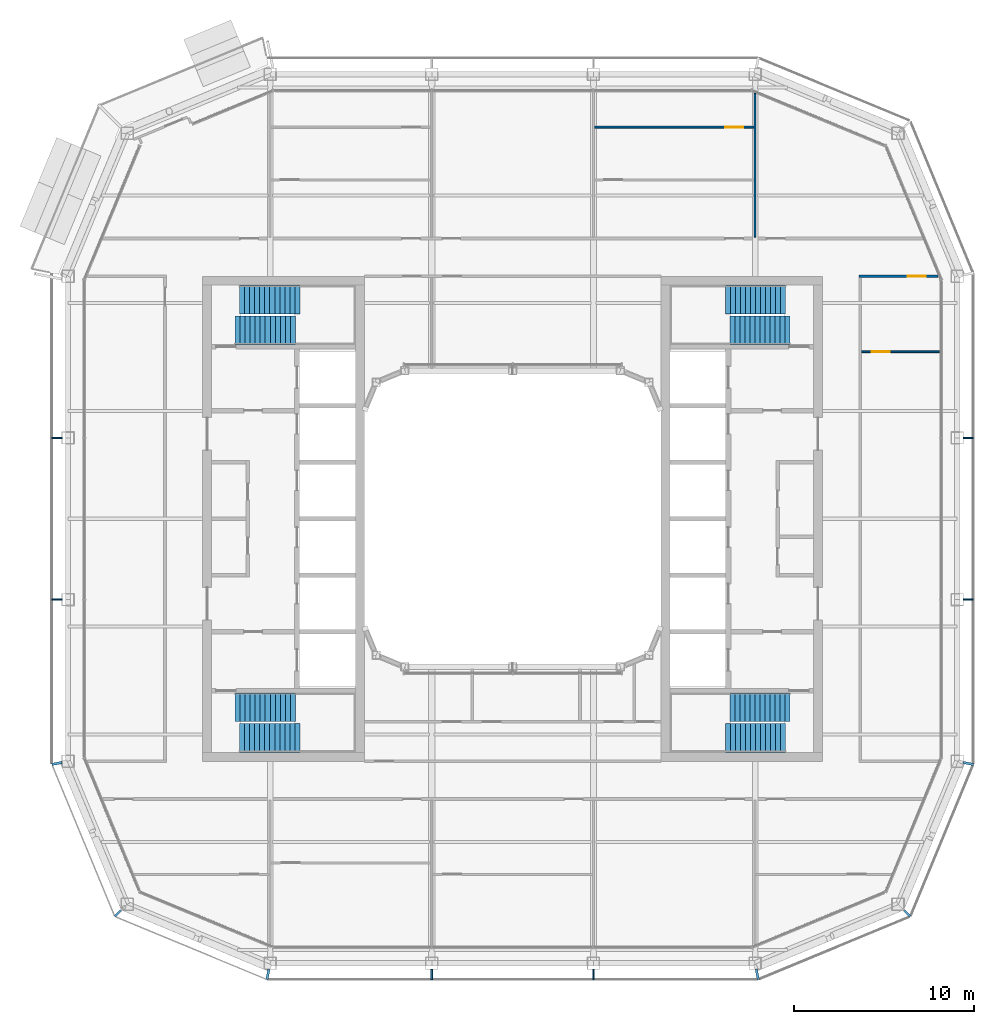
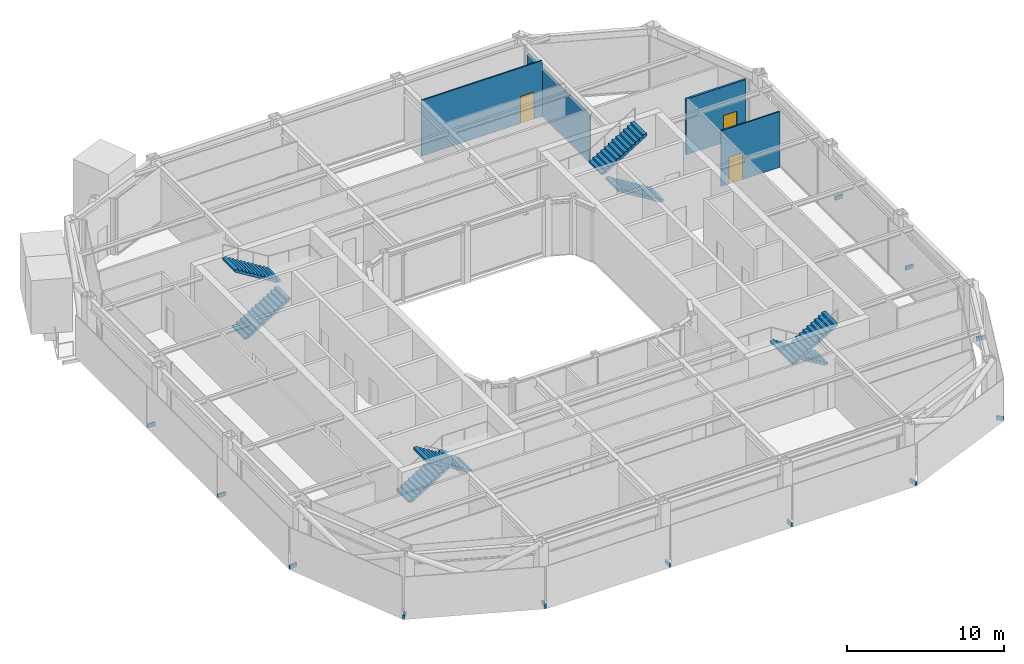
# One storey, part 15 of 22: 12 discrete accessories, 8 stair flights, 4 walls, 3 doors, 3 openings, 4 elements without a shape of their own.
"""IFC4 building model written with IfcOpenShell, lengths in metres."""

from ifc_helpers import new_model, si_unit, direction, frame, frame_2d, origin, origin_2d, place, context, subcontext, project, spatial, polyline, rectangle, outline, extrude, material, layer, layer_set, type_object, element, fill, aggregate, save


model = new_model("IFC4")

# Units and contexts
model_context = context("Model", 3, precision=1e-05, world=origin(), true_north=direction((0.0, 1.0)))
body_context = subcontext(model_context, "Body", "Model", "MODEL_VIEW")
ifc_project = project(units=[si_unit("LENGTHUNIT", "METRE"), si_unit("AREAUNIT", "SQUARE_METRE"), si_unit("VOLUMEUNIT", "CUBIC_METRE"), si_unit("PLANEANGLEUNIT", "RADIAN"), si_unit("MASSUNIT", "GRAM", prefix="KILO")], contexts=[model_context])

# Site, building, storey
site_placement = place(None, origin())
site = spatial("IfcSite", under=ifc_project, at=site_placement, CompositionType="ELEMENT")
building_placement = place(site_placement, origin())
building = spatial("IfcBuilding", under=site, at=building_placement, Name="Siwar Civic Tower", CompositionType="ELEMENT")
storey_placement = place(building_placement, frame((0.0, 0.0, 330.199951171875)))
storey = spatial("IfcBuildingStorey", under=building, at=storey_placement, Name="L71", CompositionType="ELEMENT", Elevation=330.199951171875)

# Wall, opening, door
ifc_material_1 = material(Name="Gypsum board on steel studs", Category="steel")
ifc_layer_1 = layer(ifc_material_1, 0.14990234375)
ifc_layer_set_1 = layer_set([ifc_layer_1], Name="Gypsum board on steel studs")
wall_type_1 = type_object("IfcWallType", Name="CORRIDOR PARTITION 150 EI 30", PredefinedType="PARTITIONING", material=ifc_layer_set_1)
wall_1_placement = place(storey_placement, frame((19.27490234375, 13.5, 0.0), z_axis=(0.0, 0.0, 1.0), x_axis=(1.0, 0.0, 0.0)))
wall_1 = element("IfcWall", 1, at=wall_1_placement, inside=storey, type_object=wall_type_1, Name="L71/wall/P14", PredefinedType="PARTITIONING", context=body_context, shape_type="SweptSolid", body=[
    extrude(rectangle(XDim=4.403076171875, YDim=0.14990234375, at=frame_2d((2.20166015625, 0.0))), origin(), (0.0, 0.0, 1.0), 4.35009765625),
])
opening_1_placement = place(wall_1_placement, frame((2.72509765625, 0.0, 0.0)))
opening_1 = element("IfcOpeningElement", 2, at=opening_1_placement, cuts=wall_1, Name="Opening D1", PredefinedType="OPENING", context=body_context, shape_type="SweptSolid", body=[
    extrude(rectangle(XDim=1.0, YDim=2.10009765625, at=frame_2d((0.5, 1.050048828125))), frame((0.0, 0.0849609375, 0.0), z_axis=(0.0, -1.0, 0.0), x_axis=(1.0, 0.0, 0.0)), (0.0, 0.0, 1.0), 0.169921875),
])
ifc_material_2 = material(Name="Timber, painted", Category="wood")
door_type_1 = type_object("IfcDoorType", Name="DOOR 1000 X 2100 FD30", OperationType="SINGLE_SWING_LEFT", PredefinedType="DOOR", material=ifc_material_2)
door_1_placement = place(opening_1_placement, origin())
door_1 = element("IfcDoor", 3, at=door_1_placement, inside=storey, type_object=door_type_1, Name="L71-D20", OperationType="SINGLE_SWING_RIGHT", OverallHeight=2.10009765625, OverallWidth=1.0, PredefinedType="DOOR", context=body_context, shape_type="SweptSolid", body=[
    extrude(rectangle(XDim=1.0, YDim=2.10009765625, at=frame_2d((0.5, 1.050048828125))), frame((0.0, 0.02490234375, 0.0), z_axis=(0.0, -1.0, 0.0), x_axis=(1.0, 0.0, 0.0)), (0.0, 0.0, 1.0), 0.050048828125),
])
fill(opening_1, door_1)

ifc_material_3 = material(Name="Gypsum board on steel studs", Category="steel")
ifc_layer_2 = layer(ifc_material_3, 0.10009765625)
ifc_layer_set_2 = layer_set([ifc_layer_2], Name="Gypsum board on steel studs")
wall_type_2 = type_object("IfcWallType", Name="PARTITION 100 GYPSUM", PredefinedType="PARTITIONING", material=ifc_layer_set_2)
wall_2_placement = place(storey_placement, frame((19.425048828125, 9.300048828125, 0.0), z_axis=(0.0, 0.0, 1.0), x_axis=(1.0, 0.0, 0.0)))
wall_2 = element("IfcWall", 4, at=wall_2_placement, inside=storey, type_object=wall_type_2, Name="L71/wall/P11", PredefinedType="PARTITIONING", context=body_context, shape_type="SweptSolid", body=[
    extrude(rectangle(XDim=4.3349609375, YDim=0.10009765625, at=frame_2d((2.16748046875, 0.0))), origin(), (0.0, 0.0, 1.0), 4.35009765625),
])
opening_2_placement = place(wall_2_placement, frame((0.574951171875, 0.0, 0.0)))
opening_2 = element("IfcOpeningElement", 5, at=opening_2_placement, cuts=wall_2, Name="Opening D2", PredefinedType="OPENING", context=body_context, shape_type="SweptSolid", body=[
    extrude(rectangle(XDim=1.0, YDim=2.10009765625, at=frame_2d((0.5, 1.050048828125))), frame((0.0, 0.06005859375, 0.0), z_axis=(0.0, -1.0, 0.0), x_axis=(1.0, 0.0, 0.0)), (0.0, 0.0, 1.0), 0.1201171875),
])
ifc_material_4 = material(Name="Timber, painted", Category="wood")
door_type_2 = type_object("IfcDoorType", Name="DOOR 1000 X 2100", OperationType="SINGLE_SWING_LEFT", PredefinedType="DOOR", material=ifc_material_4)
door_2_placement = place(opening_2_placement, origin())
door_2 = element("IfcDoor", 6, at=door_2_placement, inside=storey, type_object=door_type_2, Name="L71-D21", OperationType="SINGLE_SWING_LEFT", OverallHeight=2.10009765625, OverallWidth=1.0, PredefinedType="DOOR", context=body_context, shape_type="SweptSolid", body=[
    extrude(rectangle(XDim=1.0, YDim=2.10009765625, at=frame_2d((0.5, 1.050048828125))), frame((0.0, 0.02490234375, 0.0), z_axis=(0.0, -1.0, 0.0), x_axis=(1.0, 0.0, 0.0)), (0.0, 0.0, 1.0), 0.050048828125),
])
fill(opening_2, door_2)

wall_3_placement = place(storey_placement, frame((4.550048828125, 21.802001953125, 0.0), z_axis=(0.0, 0.0, 1.0), x_axis=(1.0, 0.0, 0.0)))
wall_3 = element("IfcWall", 7, at=wall_3_placement, inside=storey, type_object=wall_type_2, Name="L71/wall/P19", PredefinedType="PARTITIONING", context=body_context, shape_type="SweptSolid", body=[
    extrude(rectangle(XDim=8.89990234375, YDim=0.10009765625, at=frame_2d((4.449951171875, 0.0))), origin(), (0.0, 0.0, 1.0), 4.35009765625),
])
opening_3_placement = place(wall_3_placement, frame((7.300048828125, 0.0, 0.0)))
opening_3 = element("IfcOpeningElement", 8, at=opening_3_placement, cuts=wall_3, Name="Opening D2", PredefinedType="OPENING", context=body_context, shape_type="SweptSolid", body=[
    extrude(rectangle(XDim=1.0, YDim=2.10009765625, at=frame_2d((0.5, 1.050048828125))), frame((0.0, 0.06005859375, 0.0), z_axis=(0.0, -1.0, 0.0), x_axis=(1.0, 0.0, 0.0)), (0.0, 0.0, 1.0), 0.1201171875),
])
door_3_placement = place(opening_3_placement, origin())
door_3 = element("IfcDoor", 9, at=door_3_placement, inside=storey, type_object=door_type_2, Name="L71-D07", OperationType="SINGLE_SWING_LEFT", OverallHeight=2.10009765625, OverallWidth=1.0, PredefinedType="DOOR", context=body_context, shape_type="SweptSolid", body=[
    extrude(rectangle(XDim=1.0, YDim=2.10009765625, at=frame_2d((0.5, 1.050048828125))), frame((0.0, 0.02490234375, 0.0), z_axis=(0.0, -1.0, 0.0), x_axis=(1.0, 0.0, 0.0)), (0.0, 0.0, 1.0), 0.050048828125),
])
fill(opening_3, door_3)

# Wall
wall_4_placement = place(storey_placement, frame((13.5, 15.675048828125, 0.0), z_axis=(0.0, 0.0, 1.0), x_axis=(0.0, 1.0, 0.0)))
element("IfcWall", 10, at=wall_4_placement, inside=storey, type_object=wall_type_2, Name="L71/wall/P32", PredefinedType="PARTITIONING", context=body_context, shape_type="SweptSolid", body=[
    extrude(rectangle(XDim=8.0029296875, YDim=0.10009765625, at=frame_2d((4.00146484375, 0.0))), origin(), (0.0, 0.0, 1.0), 3.75),
])

# Stair, stair flights
ifc_material_5 = material(Name="Concrete C40/50", Category="concrete")
stair_type = type_object("IfcStairType", Name="CORE-STAIR", PredefinedType="TWO_STRAIGHT_RUN_STAIR", material=ifc_material_5)
stair_1_placement = place(storey_placement, origin())
stair_1 = element("IfcStair", 11, at=stair_1_placement, inside=storey, type_object=stair_type, Name="Exit stair ST1", PredefinedType="TWO_STRAIGHT_RUN_STAIR")
ifc_material_6 = material(Name="Concrete C40/50", Category="concrete")
stair_flight_type = type_object("IfcStairFlightType", Name="CORE-STAIR-FLIGHT", PredefinedType="STRAIGHT", material=ifc_material_6)
stair_flight_1_placement = place(storey_placement, frame((-15.449951171875, 10.5, 0.0), z_axis=(0.0, 0.0, 1.0), x_axis=(1.0, 0.0, 0.0)))
stair_flight_1 = element("IfcStairFlight", 12, at=stair_flight_1_placement, type_object=stair_flight_type, Name="ST1 flight 1", NumberOfRisers=13, NumberOfTreads=12, PredefinedType="STRAIGHT", RiserHeight=0.173076923, TreadLength=0.28, context=body_context, shape_type="SweptSolid", body=[
    extrude(outline(polyline([(0.0, 0.0), (0.0, 0.173095703125), (0.280029296875, 0.173095703125), (0.280029296875, 0.34619140625), (0.56005859375, 0.34619140625), (0.56005859375, 0.519287109375), (0.840087890625, 0.519287109375), (0.840087890625, 0.6923828125), (1.1201171875, 0.6923828125), (1.1201171875, 0.865478515625), (1.39990234375, 0.865478515625), (1.39990234375, 1.03857421875), (1.679931640625, 1.03857421875), (1.679931640625, 1.21142578125), (1.9599609375, 1.21142578125), (1.9599609375, 1.384521484375), (2.239990234375, 1.384521484375), (2.239990234375, 1.5576171875), (2.52001953125, 1.5576171875), (2.52001953125, 1.730712890625), (2.800048828125, 1.730712890625), (2.800048828125, 1.90380859375), (3.080078125, 1.90380859375), (3.080078125, 2.076904296875), (3.360107421875, 2.076904296875), (3.360107421875, 2.25), (3.360107421875, 1.900634765625), (0.28515625, 0.0), (0.0, 0.0)])), frame((0.0, 0.800048828125, 0.0), z_axis=(0.0, -1.0, 0.0), x_axis=(1.0, 0.0, 0.0)), (0.0, 0.0, 1.0), 1.60009765625),
])
stair_flight_2_placement = place(storey_placement, frame((-11.840087890625, 12.199951171875, 2.25), z_axis=(0.0, 0.0, 1.0), x_axis=(-1.0, 0.0, 0.0)))
stair_flight_2 = element("IfcStairFlight", 13, at=stair_flight_2_placement, type_object=stair_flight_type, Name="ST1 flight 2", NumberOfRisers=13, NumberOfTreads=12, PredefinedType="STRAIGHT", RiserHeight=0.173076923, TreadLength=0.28, context=body_context, shape_type="SweptSolid", body=[
    extrude(outline(polyline([(0.0, 0.0), (0.0, 0.173095703125), (0.280029296875, 0.173095703125), (0.280029296875, 0.34619140625), (0.56005859375, 0.34619140625), (0.56005859375, 0.519287109375), (0.840087890625, 0.519287109375), (0.840087890625, 0.6923828125), (1.1201171875, 0.6923828125), (1.1201171875, 0.865478515625), (1.39990234375, 0.865478515625), (1.39990234375, 1.03857421875), (1.679931640625, 1.03857421875), (1.679931640625, 1.21142578125), (1.9599609375, 1.21142578125), (1.9599609375, 1.384521484375), (2.239990234375, 1.384521484375), (2.239990234375, 1.5576171875), (2.52001953125, 1.5576171875), (2.52001953125, 1.730712890625), (2.800048828125, 1.730712890625), (2.800048828125, 1.90380859375), (3.080078125, 1.90380859375), (3.080078125, 2.076904296875), (3.360107421875, 2.076904296875), (3.360107421875, 2.25), (3.360107421875, 1.900634765625), (0.28515625, 0.0), (0.0, 0.0)])), frame((0.0, 0.800048828125, 0.0), z_axis=(0.0, -1.0, 0.0), x_axis=(1.0, 0.0, 0.0)), (0.0, 0.0, 1.0), 1.60009765625),
])
aggregate(stair_1, [stair_flight_1, stair_flight_2])

stair_2_placement = place(storey_placement, origin())
stair_2 = element("IfcStair", 14, at=stair_2_placement, inside=storey, type_object=stair_type, Name="Exit stair ST2", PredefinedType="TWO_STRAIGHT_RUN_STAIR")
stair_flight_3_placement = place(storey_placement, frame((-15.449951171875, -10.5, 0.0), z_axis=(0.0, 0.0, 1.0), x_axis=(1.0, 0.0, 0.0)))
stair_flight_3 = element("IfcStairFlight", 15, at=stair_flight_3_placement, type_object=stair_flight_type, Name="ST2 flight 1", NumberOfRisers=13, NumberOfTreads=12, PredefinedType="STRAIGHT", RiserHeight=0.173076923, TreadLength=0.28, context=body_context, shape_type="SweptSolid", body=[
    extrude(outline(polyline([(0.0, 0.0), (0.0, 0.173095703125), (0.280029296875, 0.173095703125), (0.280029296875, 0.34619140625), (0.56005859375, 0.34619140625), (0.56005859375, 0.519287109375), (0.840087890625, 0.519287109375), (0.840087890625, 0.6923828125), (1.1201171875, 0.6923828125), (1.1201171875, 0.865478515625), (1.39990234375, 0.865478515625), (1.39990234375, 1.03857421875), (1.679931640625, 1.03857421875), (1.679931640625, 1.21142578125), (1.9599609375, 1.21142578125), (1.9599609375, 1.384521484375), (2.239990234375, 1.384521484375), (2.239990234375, 1.5576171875), (2.52001953125, 1.5576171875), (2.52001953125, 1.730712890625), (2.800048828125, 1.730712890625), (2.800048828125, 1.90380859375), (3.080078125, 1.90380859375), (3.080078125, 2.076904296875), (3.360107421875, 2.076904296875), (3.360107421875, 2.25), (3.360107421875, 1.900634765625), (0.28515625, 0.0), (0.0, 0.0)])), frame((0.0, 0.800048828125, 0.0), z_axis=(0.0, -1.0, 0.0), x_axis=(1.0, 0.0, 0.0)), (0.0, 0.0, 1.0), 1.60009765625),
])
stair_flight_4_placement = place(storey_placement, frame((-11.840087890625, -12.199951171875, 2.25), z_axis=(0.0, 0.0, 1.0), x_axis=(-1.0, 0.0, 0.0)))
stair_flight_4 = element("IfcStairFlight", 16, at=stair_flight_4_placement, type_object=stair_flight_type, Name="ST2 flight 2", NumberOfRisers=13, NumberOfTreads=12, PredefinedType="STRAIGHT", RiserHeight=0.173076923, TreadLength=0.28, context=body_context, shape_type="SweptSolid", body=[
    extrude(outline(polyline([(0.0, 0.0), (0.0, 0.173095703125), (0.280029296875, 0.173095703125), (0.280029296875, 0.34619140625), (0.56005859375, 0.34619140625), (0.56005859375, 0.519287109375), (0.840087890625, 0.519287109375), (0.840087890625, 0.6923828125), (1.1201171875, 0.6923828125), (1.1201171875, 0.865478515625), (1.39990234375, 0.865478515625), (1.39990234375, 1.03857421875), (1.679931640625, 1.03857421875), (1.679931640625, 1.21142578125), (1.9599609375, 1.21142578125), (1.9599609375, 1.384521484375), (2.239990234375, 1.384521484375), (2.239990234375, 1.5576171875), (2.52001953125, 1.5576171875), (2.52001953125, 1.730712890625), (2.800048828125, 1.730712890625), (2.800048828125, 1.90380859375), (3.080078125, 1.90380859375), (3.080078125, 2.076904296875), (3.360107421875, 2.076904296875), (3.360107421875, 2.25), (3.360107421875, 1.900634765625), (0.28515625, 0.0), (0.0, 0.0)])), frame((0.0, 0.800048828125, 0.0), z_axis=(0.0, -1.0, 0.0), x_axis=(1.0, 0.0, 0.0)), (0.0, 0.0, 1.0), 1.60009765625),
])
aggregate(stair_2, [stair_flight_3, stair_flight_4])

stair_3_placement = place(storey_placement, origin())
stair_3 = element("IfcStair", 17, at=stair_3_placement, inside=storey, type_object=stair_type, Name="Exit stair ST3", PredefinedType="TWO_STRAIGHT_RUN_STAIR")
stair_flight_5_placement = place(storey_placement, frame((15.449951171875, 10.5, 0.0), z_axis=(0.0, 0.0, 1.0), x_axis=(-1.0, 0.0, 0.0)))
stair_flight_5 = element("IfcStairFlight", 18, at=stair_flight_5_placement, type_object=stair_flight_type, Name="ST3 flight 1", NumberOfRisers=13, NumberOfTreads=12, PredefinedType="STRAIGHT", RiserHeight=0.173076923, TreadLength=0.28, context=body_context, shape_type="SweptSolid", body=[
    extrude(outline(polyline([(0.0, 0.0), (0.0, 0.173095703125), (0.280029296875, 0.173095703125), (0.280029296875, 0.34619140625), (0.56005859375, 0.34619140625), (0.56005859375, 0.519287109375), (0.840087890625, 0.519287109375), (0.840087890625, 0.6923828125), (1.1201171875, 0.6923828125), (1.1201171875, 0.865478515625), (1.39990234375, 0.865478515625), (1.39990234375, 1.03857421875), (1.679931640625, 1.03857421875), (1.679931640625, 1.21142578125), (1.9599609375, 1.21142578125), (1.9599609375, 1.384521484375), (2.239990234375, 1.384521484375), (2.239990234375, 1.5576171875), (2.52001953125, 1.5576171875), (2.52001953125, 1.730712890625), (2.800048828125, 1.730712890625), (2.800048828125, 1.90380859375), (3.080078125, 1.90380859375), (3.080078125, 2.076904296875), (3.360107421875, 2.076904296875), (3.360107421875, 2.25), (3.360107421875, 1.900634765625), (0.28515625, 0.0), (0.0, 0.0)])), frame((0.0, 0.800048828125, 0.0), z_axis=(0.0, -1.0, 0.0), x_axis=(1.0, 0.0, 0.0)), (0.0, 0.0, 1.0), 1.60009765625),
])
stair_flight_6_placement = place(storey_placement, frame((11.840087890625, 12.199951171875, 2.25), z_axis=(0.0, 0.0, 1.0), x_axis=(1.0, 0.0, 0.0)))
stair_flight_6 = element("IfcStairFlight", 19, at=stair_flight_6_placement, type_object=stair_flight_type, Name="ST3 flight 2", NumberOfRisers=13, NumberOfTreads=12, PredefinedType="STRAIGHT", RiserHeight=0.173076923, TreadLength=0.28, context=body_context, shape_type="SweptSolid", body=[
    extrude(outline(polyline([(0.0, 0.0), (0.0, 0.173095703125), (0.280029296875, 0.173095703125), (0.280029296875, 0.34619140625), (0.56005859375, 0.34619140625), (0.56005859375, 0.519287109375), (0.840087890625, 0.519287109375), (0.840087890625, 0.6923828125), (1.1201171875, 0.6923828125), (1.1201171875, 0.865478515625), (1.39990234375, 0.865478515625), (1.39990234375, 1.03857421875), (1.679931640625, 1.03857421875), (1.679931640625, 1.21142578125), (1.9599609375, 1.21142578125), (1.9599609375, 1.384521484375), (2.239990234375, 1.384521484375), (2.239990234375, 1.5576171875), (2.52001953125, 1.5576171875), (2.52001953125, 1.730712890625), (2.800048828125, 1.730712890625), (2.800048828125, 1.90380859375), (3.080078125, 1.90380859375), (3.080078125, 2.076904296875), (3.360107421875, 2.076904296875), (3.360107421875, 2.25), (3.360107421875, 1.900634765625), (0.28515625, 0.0), (0.0, 0.0)])), frame((0.0, 0.800048828125, 0.0), z_axis=(0.0, -1.0, 0.0), x_axis=(1.0, 0.0, 0.0)), (0.0, 0.0, 1.0), 1.60009765625),
])
aggregate(stair_3, [stair_flight_5, stair_flight_6])

stair_4_placement = place(storey_placement, origin())
stair_4 = element("IfcStair", 20, at=stair_4_placement, inside=storey, type_object=stair_type, Name="Exit stair ST4", PredefinedType="TWO_STRAIGHT_RUN_STAIR")
stair_flight_7_placement = place(storey_placement, frame((15.449951171875, -10.5, 0.0), z_axis=(0.0, 0.0, 1.0), x_axis=(-1.0, 0.0, 0.0)))
stair_flight_7 = element("IfcStairFlight", 21, at=stair_flight_7_placement, type_object=stair_flight_type, Name="ST4 flight 1", NumberOfRisers=13, NumberOfTreads=12, PredefinedType="STRAIGHT", RiserHeight=0.173076923, TreadLength=0.28, context=body_context, shape_type="SweptSolid", body=[
    extrude(outline(polyline([(0.0, 0.0), (0.0, 0.173095703125), (0.280029296875, 0.173095703125), (0.280029296875, 0.34619140625), (0.56005859375, 0.34619140625), (0.56005859375, 0.519287109375), (0.840087890625, 0.519287109375), (0.840087890625, 0.6923828125), (1.1201171875, 0.6923828125), (1.1201171875, 0.865478515625), (1.39990234375, 0.865478515625), (1.39990234375, 1.03857421875), (1.679931640625, 1.03857421875), (1.679931640625, 1.21142578125), (1.9599609375, 1.21142578125), (1.9599609375, 1.384521484375), (2.239990234375, 1.384521484375), (2.239990234375, 1.5576171875), (2.52001953125, 1.5576171875), (2.52001953125, 1.730712890625), (2.800048828125, 1.730712890625), (2.800048828125, 1.90380859375), (3.080078125, 1.90380859375), (3.080078125, 2.076904296875), (3.360107421875, 2.076904296875), (3.360107421875, 2.25), (3.360107421875, 1.900634765625), (0.28515625, 0.0), (0.0, 0.0)])), frame((0.0, 0.800048828125, 0.0), z_axis=(0.0, -1.0, 0.0), x_axis=(1.0, 0.0, 0.0)), (0.0, 0.0, 1.0), 1.60009765625),
])
stair_flight_8_placement = place(storey_placement, frame((11.840087890625, -12.199951171875, 2.25), z_axis=(0.0, 0.0, 1.0), x_axis=(1.0, 0.0, 0.0)))
stair_flight_8 = element("IfcStairFlight", 22, at=stair_flight_8_placement, type_object=stair_flight_type, Name="ST4 flight 2", NumberOfRisers=13, NumberOfTreads=12, PredefinedType="STRAIGHT", RiserHeight=0.173076923, TreadLength=0.28, context=body_context, shape_type="SweptSolid", body=[
    extrude(outline(polyline([(0.0, 0.0), (0.0, 0.173095703125), (0.280029296875, 0.173095703125), (0.280029296875, 0.34619140625), (0.56005859375, 0.34619140625), (0.56005859375, 0.519287109375), (0.840087890625, 0.519287109375), (0.840087890625, 0.6923828125), (1.1201171875, 0.6923828125), (1.1201171875, 0.865478515625), (1.39990234375, 0.865478515625), (1.39990234375, 1.03857421875), (1.679931640625, 1.03857421875), (1.679931640625, 1.21142578125), (1.9599609375, 1.21142578125), (1.9599609375, 1.384521484375), (2.239990234375, 1.384521484375), (2.239990234375, 1.5576171875), (2.52001953125, 1.5576171875), (2.52001953125, 1.730712890625), (2.800048828125, 1.730712890625), (2.800048828125, 1.90380859375), (3.080078125, 1.90380859375), (3.080078125, 2.076904296875), (3.360107421875, 2.076904296875), (3.360107421875, 2.25), (3.360107421875, 1.900634765625), (0.28515625, 0.0), (0.0, 0.0)])), frame((0.0, 0.800048828125, 0.0), z_axis=(0.0, -1.0, 0.0), x_axis=(1.0, 0.0, 0.0)), (0.0, 0.0, 1.0), 1.60009765625),
])
aggregate(stair_4, [stair_flight_7, stair_flight_8])

# Discrete accessories
ifc_material_7 = material(Name="Stainless steel 316", Category="steel")
discrete_accessory_type = type_object("IfcDiscreteAccessoryType", Name="ENV-BRACKET", PredefinedType="BRACKET", material=ifc_material_7)
for number, where, z_axis, x_axis, name in (
    (23, (25.364990234375, -4.5, -0.14990234375), (0.0, 0.0, 1.0), (1.0, 0.0, 0.0), "Bracket outer skin joint E-01"),
    (24, (25.364990234375, 4.5, -0.14990234375), (0.0, 0.0, 1.0), (1.0, 0.0, 0.0), "Bracket outer skin joint E-02"),
    (25, (-4.5, -25.364990234375, -0.14990234375), (0.0, 0.0, 1.0), (0.0, -1.0, 0.0), "Bracket outer skin joint S-01"),
    (26, (4.5, -25.364990234375, -0.14990234375), (0.0, 0.0, 1.0), (0.0, -1.0, 0.0), "Bracket outer skin joint S-02"),
):
    element("IfcDiscreteAccessory", number, at=place(storey_placement, frame(where, z_axis=z_axis, x_axis=x_axis)), inside=storey, type_object=discrete_accessory_type, Name=name, PredefinedType="BRACKET", context=body_context, shape_type="SweptSolid", body=[
        extrude(rectangle(XDim=0.570068359375, YDim=0.10009765625, at=origin_2d()), origin(), (0.0, 0.0, 1.0), 0.300048828125),
    ])
for number, where, z_axis, x_axis, name in (
    (27, (-13.622314453125, -25.365234375, -0.14990234375), (0.0, 0.0, 1.0), (-0.195090322016, -0.980785280403, 0.0), "Bracket outer skin joint V00"),
    (28, (13.622314453125, -25.365234375, -0.14990234375), (0.0, 0.0, 1.0), (0.195090322016, -0.980785280403, 0.0), "Bracket outer skin joint V01"),
):
    element("IfcDiscreteAccessory", number, at=place(storey_placement, frame(where, z_axis=z_axis, x_axis=x_axis)), inside=storey, type_object=discrete_accessory_type, Name=name, PredefinedType="BRACKET", context=body_context, shape_type="SweptSolid", body=[
        extrude(rectangle(XDim=0.580810546875, YDim=0.13720703125, at=origin_2d()), origin(), (0.0, 0.0, 1.0), 0.300048828125),
    ])
discrete_accessory_1_placement = place(storey_placement, frame((21.96728515625, -21.96728515625, -0.14990234375), z_axis=(0.0, 0.0, 1.0), x_axis=(0.707106781187, -0.707106781187, 0.0)))
element("IfcDiscreteAccessory", 29, at=discrete_accessory_1_placement, inside=storey, type_object=discrete_accessory_type, Name="Bracket outer skin joint V02", PredefinedType="BRACKET", context=body_context, shape_type="SweptSolid", body=[
    extrude(rectangle(XDim=0.499267578125, YDim=0.12939453125, at=origin_2d()), origin(), (0.0, 0.0, 1.0), 0.300048828125),
])
for number, where, z_axis, x_axis, name in (
    (30, (25.365234375, -13.622314453125, -0.14990234375), (0.0, 0.0, 1.0), (0.980785280403, -0.195090322016, 0.0), "Bracket outer skin joint V03"),
    (31, (-25.365234375, -13.622314453125, -0.14990234375), (0.0, 0.0, 1.0), (-0.980785280403, -0.195090322016, 0.0), "Bracket outer skin joint V10"),
):
    element("IfcDiscreteAccessory", number, at=place(storey_placement, frame(where, z_axis=z_axis, x_axis=x_axis)), inside=storey, type_object=discrete_accessory_type, Name=name, PredefinedType="BRACKET", context=body_context, shape_type="SweptSolid", body=[
        extrude(rectangle(XDim=0.580810546875, YDim=0.13720703125, at=origin_2d()), origin(), (0.0, 0.0, 1.0), 0.300048828125),
    ])
discrete_accessory_2_placement = place(storey_placement, frame((-21.96728515625, -21.96728515625, -0.14990234375), z_axis=(0.0, 0.0, 1.0), x_axis=(-0.707106781187, -0.707106781187, 0.0)))
element("IfcDiscreteAccessory", 32, at=discrete_accessory_2_placement, inside=storey, type_object=discrete_accessory_type, Name="Bracket outer skin joint V11", PredefinedType="BRACKET", context=body_context, shape_type="SweptSolid", body=[
    extrude(rectangle(XDim=0.499267578125, YDim=0.12939453125, at=origin_2d()), origin(), (0.0, 0.0, 1.0), 0.300048828125),
])
for number, where, z_axis, x_axis, name in (
    (33, (-25.364990234375, 4.5, -0.14990234375), (0.0, 0.0, 1.0), (-1.0, 0.0, 0.0), "Bracket outer skin joint W-01"),
    (34, (-25.364990234375, -4.5, -0.14990234375), (0.0, 0.0, 1.0), (-1.0, 0.0, 0.0), "Bracket outer skin joint W-02"),
):
    element("IfcDiscreteAccessory", number, at=place(storey_placement, frame(where, z_axis=z_axis, x_axis=x_axis)), inside=storey, type_object=discrete_accessory_type, Name=name, PredefinedType="BRACKET", context=body_context, shape_type="SweptSolid", body=[
        extrude(rectangle(XDim=0.570068359375, YDim=0.10009765625, at=origin_2d()), origin(), (0.0, 0.0, 1.0), 0.300048828125),
    ])

save(model, "model.ifc")
